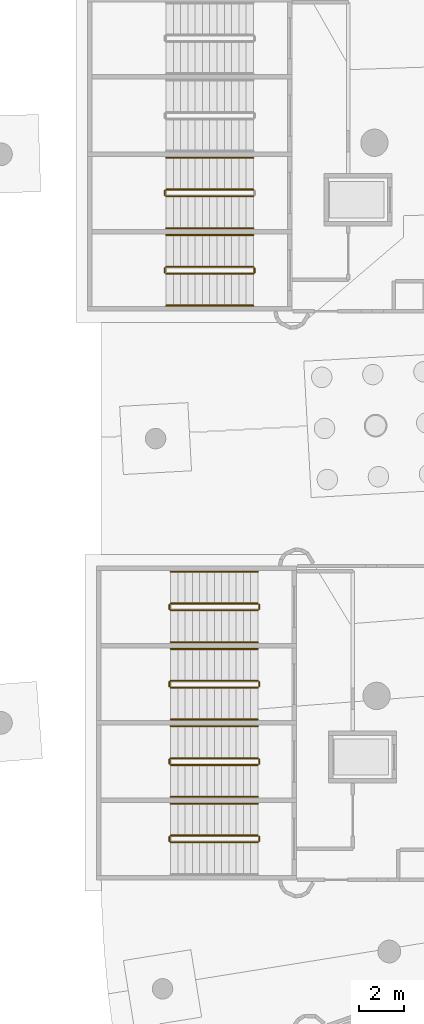
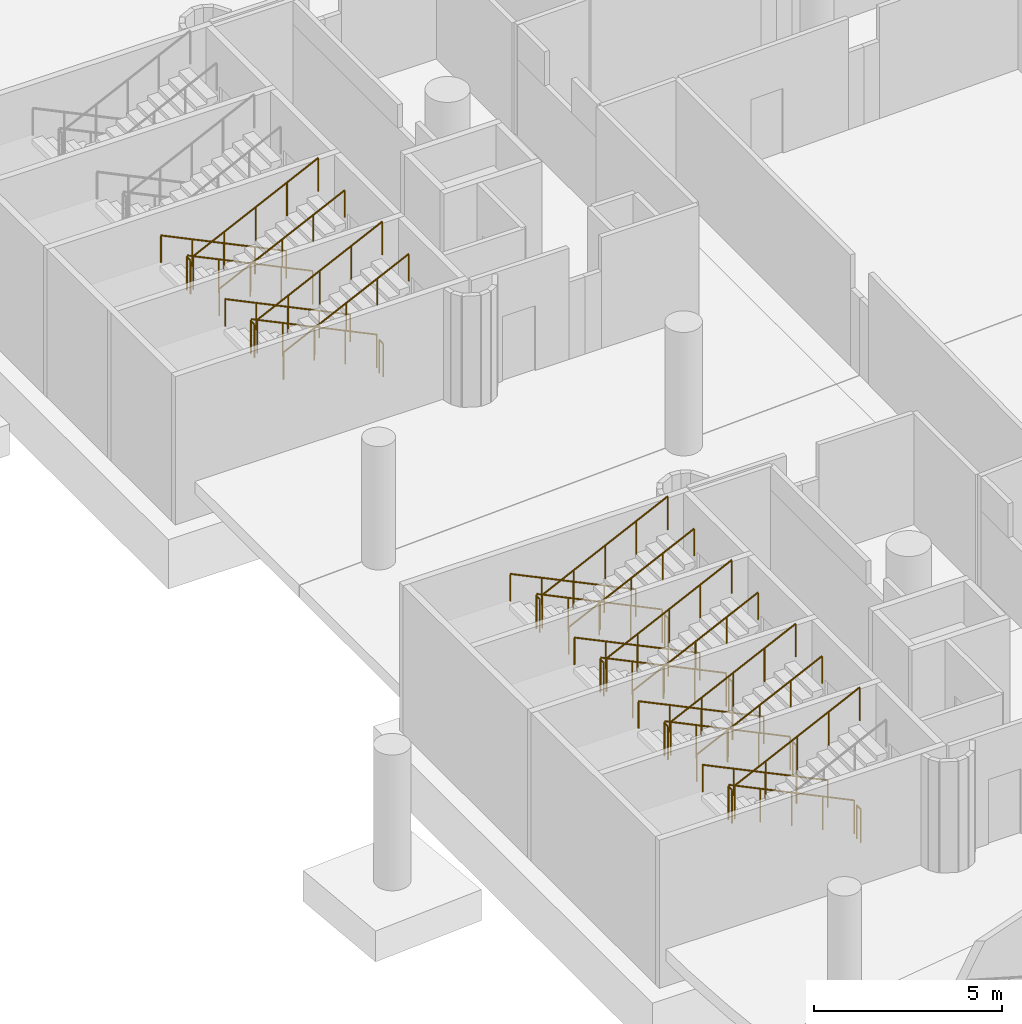
# One storey, part 115 of 142: 34 railings.
"""IFC4 building model written with IfcOpenShell, lengths in metres."""

import ifcopenshell
import ifcopenshell.guid

model = None  # the IFC model being written
_history = None  # IfcOwnerHistory: only IFC2X3 demands one
_inside = {}  # id of a spatial element -> (the spatial element, [elements in it])
_under = {}  # id of a project, library or spatial element -> (it, [spatial elements below it])
_declared = {}  # id of a project -> (the project, [libraries it declares])
_typed = {}  # id of a type object -> (the type object, [elements of that type])
_made_of = {}  # id of a material, layer set ... -> (it, [elements and type objects made of it])


def new_model(schema):
    """Start an empty IFC model of exactly this schema.

    Asked for "IFC4X3", IfcOpenShell would pick the latest addendum, in which some entities
    have other attributes; the version numbers below select the first issue.
    IFC2X3 requires an IfcOwnerHistory on every rooted entity: one is made here for all.
    """
    global model, _history
    if schema == "IFC4X3":
        model = ifcopenshell.file(schema_version=(4, 3, 0, 0))
    else:
        model = ifcopenshell.file(schema=schema)
    _inside.clear()
    _under.clear()
    _declared.clear()
    _typed.clear()
    _made_of.clear()
    _history = None
    if model.schema == "IFC2X3":
        org = make("IfcOrganization", Name="unknown")
        user = make(
            "IfcPersonAndOrganization",
            ThePerson=make("IfcPerson", FamilyName="unknown"),
            TheOrganization=org,
        )
        app = make(
            "IfcApplication",
            ApplicationDeveloper=org,
            Version="unknown",
            ApplicationFullName="unknown",
            ApplicationIdentifier="unknown",
        )
        _history = make(
            "IfcOwnerHistory",
            OwningUser=user,
            OwningApplication=app,
            ChangeAction="ADDED",
            CreationDate=0,
        )
    return model


def make(cls, **values):
    """One entity of the class cls with the attributes given. An attribute that is None is left unset."""
    return model.create_entity(
        cls, **{name: value for name, value in values.items() if value is not None}
    )


def rooted(cls, **values):
    """An entity with a GlobalId (a new one), such as an element, a storey or a relation."""
    return make(cls, GlobalId=ifcopenshell.guid.new(), OwnerHistory=_history, **values)


def si_unit(unit_type, name, prefix=None):
    """IfcSIUnit, for example si_unit("LENGTHUNIT", "METRE", prefix="MILLI")."""
    return make("IfcSIUnit", UnitType=unit_type, Prefix=prefix, Name=name)


def assignment(units):
    """IfcUnitAssignment: the units of a project."""
    return None if units is None else make("IfcUnitAssignment", Units=units)


def point(xyz):
    """IfcCartesianPoint."""
    return None if xyz is None else make("IfcCartesianPoint", Coordinates=xyz)


def direction(xyz):
    """IfcDirection."""
    return None if xyz is None else make("IfcDirection", DirectionRatios=xyz)


def frame(location, z_axis=None, x_axis=None):
    """IfcAxis2Placement3D, a coordinate frame: its origin and axes. An axis left out is left unset."""
    return make(
        "IfcAxis2Placement3D",
        Location=point(location),
        Axis=direction(z_axis),
        RefDirection=direction(x_axis),
    )


def frame_2d(location, x_axis=None):
    """IfcAxis2Placement2D, a coordinate frame in the plane: its origin and x axis."""
    return make(
        "IfcAxis2Placement2D", Location=point(location), RefDirection=direction(x_axis)
    )


def origin():
    """The frame at (0, 0, 0) with its axes left unset."""
    return frame((0.0, 0.0, 0.0))


def origin_2d():
    """The frame at (0, 0) in the plane with its x axis left unset."""
    return frame_2d((0.0, 0.0))


def place(relative_to, where):
    """IfcLocalPlacement: puts the frame where relative to a parent placement (None: the world)."""
    return make(
        "IfcLocalPlacement", PlacementRelTo=relative_to, RelativePlacement=where
    )


def context(
    kind, dimensions, precision=None, world=None, true_north=None, identifier=None
):
    """IfcGeometricRepresentationContext, for example the 3D "Model" context."""
    return make(
        "IfcGeometricRepresentationContext",
        ContextIdentifier=identifier,
        ContextType=kind,
        CoordinateSpaceDimension=dimensions,
        Precision=precision,
        WorldCoordinateSystem=world,
        TrueNorth=true_north,
    )


def subcontext(parent, identifier, kind, view, scale=None):
    """IfcGeometricRepresentationSubContext, for example "Body" below "Model"."""
    return make(
        "IfcGeometricRepresentationSubContext",
        ContextIdentifier=identifier,
        ContextType=kind,
        ParentContext=parent,
        TargetScale=scale,
        TargetView=view,
    )


def project(units=None, contexts=None):
    """IfcProject with its units and contexts."""
    return rooted(
        "IfcProject",
        Name="project",
        RepresentationContexts=contexts,
        UnitsInContext=assignment(units),
    )


def spatial(cls, under=None, at=None, **own):
    """A site, building, storey or space (cls), placed at a placement, below another one or the project."""
    s = rooted(cls, ObjectPlacement=at, **own)
    if under is not None:
        _under.setdefault(under.id(), (under, []))[1].append(s)
    return s


def profile(cls, at=None, kind="AREA", **sizes):
    """A parametric profile (cls). Its sizes go by their IFC names, for example OverallWidth=200.0."""
    return make(cls, ProfileType=kind, Position=at, **sizes)


def circle(**sizes):
    """IfcCircleProfileDef."""
    return profile("IfcCircleProfileDef", **sizes)


def extrude(swept, where, along, depth):
    """IfcExtrudedAreaSolid: the profile swept, set in the frame where, extruded along a direction by depth."""
    return make(
        "IfcExtrudedAreaSolid",
        SweptArea=swept,
        Position=where,
        ExtrudedDirection=direction(along),
        Depth=depth,
    )


def shape(context_of_items, identifier, shape_type, items):
    """IfcShapeRepresentation: the items that make up one representation, for example the "Body"."""
    return make(
        "IfcShapeRepresentation",
        ContextOfItems=context_of_items,
        RepresentationIdentifier=identifier,
        RepresentationType=shape_type,
        Items=items,
    )


def material(Name=None, Category=None):
    """IfcMaterial."""
    return make("IfcMaterial", Name=Name, Category=Category)


def made_of(thing, what):
    """Note that an element or type object is made of a material, layer set ...; save() writes the relation."""
    if what is not None:
        _made_of.setdefault(what.id(), (what, []))[1].append(thing)
    return thing


def type_object(cls, material=None, **own):
    """A type object (cls), such as IfcWallType, which elements share."""
    return made_of(rooted(cls, **own), material)


def element(
    cls,
    number,
    at=None,
    inside=None,
    cuts=None,
    type_object=None,
    material=None,
    context=None,
    identifier="Body",
    shape_type=None,
    held_by="IfcProductDefinitionShape",
    body=None,
    shapes=None,
    **own,
):
    """One element of the class cls, such as IfcWall. Its Tag is "e" and its number.

    at: its placement. inside: the storey or other place that contains it. cuts: it is an
    opening in that element (IfcRelVoidsElement). A single representation is given by context,
    identifier, shape_type and body (its items); several are given by shapes. held_by: the class
    of the entity that holds the representations. save() writes the other relations.
    """
    e = rooted(cls, Tag="e%d" % number, ObjectPlacement=at, **own)
    if body is not None:
        shapes = [shape(context, identifier, shape_type, body)]
    if shapes is not None:
        e.Representation = make(held_by, Representations=shapes)
    if inside is not None:
        _inside.setdefault(inside.id(), (inside, []))[1].append(e)
    if cuts is not None:
        rooted(
            "IfcRelVoidsElement", RelatingBuildingElement=cuts, RelatedOpeningElement=e
        )
    if type_object is not None:
        _typed.setdefault(type_object.id(), (type_object, []))[1].append(e)
    return made_of(e, material)


def aggregate(whole, parts):
    """IfcRelAggregates: a whole, such as a stair, and the parts it consists of."""
    return rooted("IfcRelAggregates", RelatingObject=whole, RelatedObjects=parts)


def save(model, path):
    """Write the relations noted so far, then the file.

    IfcRelAggregates (storeys below a building ...), IfcRelContainedInSpatialStructure (elements
    in a storey), IfcRelDefinesByType, IfcRelAssociatesMaterial and IfcRelDeclares: one each for
    every whole, place, type object, material and project.
    """
    for whole, parts in _under.values():
        aggregate(whole, parts)
    for where, things in _inside.values():
        rooted(
            "IfcRelContainedInSpatialStructure",
            RelatedElements=things,
            RelatingStructure=where,
        )
    for kind, things in _typed.values():
        rooted("IfcRelDefinesByType", RelatedObjects=things, RelatingType=kind)
    for what, things in _made_of.values():
        rooted("IfcRelAssociatesMaterial", RelatedObjects=things, RelatingMaterial=what)
    for by, libraries in _declared.values():
        rooted("IfcRelDeclares", RelatingContext=by, RelatedDefinitions=libraries)
    model.write(path)


model = new_model("IFC4")

# Units and contexts
model_context = context("Model", 3, precision=1e-05, world=origin(), true_north=direction((0.0, 1.0)))
body_context = subcontext(model_context, "Body", "Model", "MODEL_VIEW")
ifc_project = project(units=[si_unit("LENGTHUNIT", "METRE"), si_unit("AREAUNIT", "SQUARE_METRE"), si_unit("VOLUMEUNIT", "CUBIC_METRE"), si_unit("PLANEANGLEUNIT", "RADIAN"), si_unit("MASSUNIT", "GRAM", prefix="KILO")], contexts=[model_context])

# Site, building, storey
site_placement = place(None, origin())
site = spatial("IfcSite", under=ifc_project, at=site_placement, CompositionType="ELEMENT")
building_placement = place(site_placement, origin())
building = spatial("IfcBuilding", under=site, at=building_placement, Name="Meseta Stadium", CompositionType="ELEMENT")
storey_placement = place(building_placement, frame((0.0, 0.0, -4.0)))
storey = spatial("IfcBuildingStorey", under=building, at=storey_placement, Name="B1", CompositionType="ELEMENT", Elevation=-4.0)

# Railings
ifc_material_1 = material(Name="Steel S355", Category="steel")
railing_type_1 = type_object("IfcRailingType", Name="Stair guard 1100", PredefinedType="GUARDRAIL", material=ifc_material_1)
railing_1_placement = place(storey_placement, frame((-90.300048828125, -20.300048828125, 0.15380859375)))
element("IfcRailing", 1, at=railing_1_placement, inside=storey, type_object=railing_type_1, Name="ST71 B1 guard 1", PredefinedType="GUARDRAIL", context=body_context, shape_type="SweptSolid", body=[
    extrude(circle(Radius=0.02392578125, at=origin_2d()), frame((0.0, 0.0, 1.076171875), z_axis=(-0.901242096526, 0.0, 0.43331591645), x_axis=(0.0, -1.0, 0.0)), (0.0, 0.0, 1.0), 4.260498046875),
    extrude(circle(Radius=0.02099609375, at=origin_2d()), origin(), (0.0, 0.0, 1.0), 1.052001953125),
    extrude(circle(Radius=0.02099609375, at=origin_2d()), frame((-0.9599609375, 0.0, 0.46142578125)), (0.0, 0.0, 1.0), 1.052001953125),
    extrude(circle(Radius=0.02099609375, at=origin_2d()), frame((-1.919921875, 0.0, 0.923095703125)), (0.0, 0.0, 1.0), 1.052001953125),
    extrude(circle(Radius=0.02099609375, at=origin_2d()), frame((-2.8798828125, 0.0, 1.384765625)), (0.0, 0.0, 1.0), 1.052001953125),
    extrude(circle(Radius=0.02099609375, at=origin_2d()), frame((-3.83984375, 0.0, 1.84619140625)), (0.0, 0.0, 1.0), 1.052001953125),
])
railing_2_placement = place(storey_placement, frame((-94.18994140625, -20.35009765625, 2.0)))
element("IfcRailing", 2, at=railing_2_placement, inside=storey, type_object=railing_type_1, Name="ST71 B1 guard 2", PredefinedType="GUARDRAIL", context=body_context, shape_type="SweptSolid", body=[
    extrude(circle(Radius=0.02392578125, at=origin_2d()), frame((0.0, 0.0, 1.076171875), z_axis=(0.0, -1.0, 0.0), x_axis=(1.0, 0.0, 0.0)), (0.0, 0.0, 1.0), 0.199951171875),
    extrude(circle(Radius=0.02099609375, at=origin_2d()), origin(), (0.0, 0.0, 1.0), 1.052001953125),
    extrude(circle(Radius=0.02099609375, at=origin_2d()), frame((0.0, -0.199951171875, 0.0)), (0.0, 0.0, 1.0), 1.052001953125),
])
railing_3_placement = place(storey_placement, frame((-94.139892578125, -20.60009765625, 2.15380859375)))
element("IfcRailing", 3, at=railing_3_placement, inside=storey, type_object=railing_type_1, Name="ST71 B1 guard 3", PredefinedType="GUARDRAIL", context=body_context, shape_type="SweptSolid", body=[
    extrude(circle(Radius=0.02392578125, at=origin_2d()), frame((0.0, 0.0, 1.076171875), z_axis=(0.901242096526, 0.0, 0.43331591645), x_axis=(0.0, 1.0, 0.0)), (0.0, 0.0, 1.0), 4.260498046875),
    extrude(circle(Radius=0.02099609375, at=origin_2d()), origin(), (0.0, 0.0, 1.0), 1.052001953125),
    extrude(circle(Radius=0.02099609375, at=origin_2d()), frame((0.9599609375, 0.0, 0.46142578125)), (0.0, 0.0, 1.0), 1.052001953125),
    extrude(circle(Radius=0.02099609375, at=origin_2d()), frame((1.919921875, 0.0, 0.923095703125)), (0.0, 0.0, 1.0), 1.052001953125),
    extrude(circle(Radius=0.02099609375, at=origin_2d()), frame((2.8798828125, 0.0, 1.384765625)), (0.0, 0.0, 1.0), 1.052001953125),
    extrude(circle(Radius=0.02099609375, at=origin_2d()), frame((3.83984375, 0.0, 1.84619140625)), (0.0, 0.0, 1.0), 1.052001953125),
])
railing_4_placement = place(storey_placement, frame((-90.300048828125, -23.699951171875, 0.15380859375)))
element("IfcRailing", 4, at=railing_4_placement, inside=storey, type_object=railing_type_1, Name="ST72 B1 guard 1", PredefinedType="GUARDRAIL", context=body_context, shape_type="SweptSolid", body=[
    extrude(circle(Radius=0.02392578125, at=origin_2d()), frame((0.0, 0.0, 1.076171875), z_axis=(-0.901242096526, 0.0, 0.43331591645), x_axis=(0.0, -1.0, 0.0)), (0.0, 0.0, 1.0), 4.260498046875),
    extrude(circle(Radius=0.02099609375, at=origin_2d()), origin(), (0.0, 0.0, 1.0), 1.052001953125),
    extrude(circle(Radius=0.02099609375, at=origin_2d()), frame((-0.9599609375, 0.0, 0.46142578125)), (0.0, 0.0, 1.0), 1.052001953125),
    extrude(circle(Radius=0.02099609375, at=origin_2d()), frame((-1.919921875, 0.0, 0.923095703125)), (0.0, 0.0, 1.0), 1.052001953125),
    extrude(circle(Radius=0.02099609375, at=origin_2d()), frame((-2.8798828125, 0.0, 1.384765625)), (0.0, 0.0, 1.0), 1.052001953125),
    extrude(circle(Radius=0.02099609375, at=origin_2d()), frame((-3.83984375, 0.0, 1.84619140625)), (0.0, 0.0, 1.0), 1.052001953125),
])
railing_5_placement = place(storey_placement, frame((-94.18994140625, -23.75, 2.0)))
element("IfcRailing", 5, at=railing_5_placement, inside=storey, type_object=railing_type_1, Name="ST72 B1 guard 2", PredefinedType="GUARDRAIL", context=body_context, shape_type="SweptSolid", body=[
    extrude(circle(Radius=0.02392578125, at=origin_2d()), frame((0.0, 0.0, 1.076171875), z_axis=(0.0, -1.0, 0.0), x_axis=(1.0, 0.0, 0.0)), (0.0, 0.0, 1.0), 0.199951171875),
    extrude(circle(Radius=0.02099609375, at=origin_2d()), origin(), (0.0, 0.0, 1.0), 1.052001953125),
    extrude(circle(Radius=0.02099609375, at=origin_2d()), frame((0.0, -0.199951171875, 0.0)), (0.0, 0.0, 1.0), 1.052001953125),
])
railing_6_placement = place(storey_placement, frame((-94.139892578125, -24.0, 2.15380859375)))
element("IfcRailing", 6, at=railing_6_placement, inside=storey, type_object=railing_type_1, Name="ST72 B1 guard 3", PredefinedType="GUARDRAIL", context=body_context, shape_type="SweptSolid", body=[
    extrude(circle(Radius=0.02392578125, at=origin_2d()), frame((0.0, 0.0, 1.076171875), z_axis=(0.901242096526, 0.0, 0.43331591645), x_axis=(0.0, 1.0, 0.0)), (0.0, 0.0, 1.0), 4.260498046875),
    extrude(circle(Radius=0.02099609375, at=origin_2d()), origin(), (0.0, 0.0, 1.0), 1.052001953125),
    extrude(circle(Radius=0.02099609375, at=origin_2d()), frame((0.9599609375, 0.0, 0.46142578125)), (0.0, 0.0, 1.0), 1.052001953125),
    extrude(circle(Radius=0.02099609375, at=origin_2d()), frame((1.919921875, 0.0, 0.923095703125)), (0.0, 0.0, 1.0), 1.052001953125),
    extrude(circle(Radius=0.02099609375, at=origin_2d()), frame((2.8798828125, 0.0, 1.384765625)), (0.0, 0.0, 1.0), 1.052001953125),
    extrude(circle(Radius=0.02099609375, at=origin_2d()), frame((3.83984375, 0.0, 1.84619140625)), (0.0, 0.0, 1.0), 1.052001953125),
])
railing_7_placement = place(storey_placement, frame((-90.25, -23.75, 0.0)))
element("IfcRailing", 7, at=railing_7_placement, inside=storey, type_object=railing_type_1, Name="ST72 B1 guard 4", PredefinedType="GUARDRAIL", context=body_context, shape_type="SweptSolid", body=[
    extrude(circle(Radius=0.02392578125, at=origin_2d()), frame((0.0, 0.0, 1.076171875), z_axis=(0.0, -1.0, 0.0), x_axis=(1.0, 0.0, 0.0)), (0.0, 0.0, 1.0), 0.199951171875),
    extrude(circle(Radius=0.02099609375, at=origin_2d()), origin(), (0.0, 0.0, 1.0), 1.052001953125),
    extrude(circle(Radius=0.02099609375, at=origin_2d()), frame((0.0, -0.199951171875, 0.0)), (0.0, 0.0, 1.0), 1.052001953125),
])
railing_8_placement = place(storey_placement, frame((-90.10009765625, -38.5, 0.15380859375)))
element("IfcRailing", 8, at=railing_8_placement, inside=storey, type_object=railing_type_1, Name="ST73 B1 guard 1", PredefinedType="GUARDRAIL", context=body_context, shape_type="SweptSolid", body=[
    extrude(circle(Radius=0.02392578125, at=origin_2d()), frame((0.0, 0.0, 1.076171875), z_axis=(-0.901242096526, 0.0, 0.43331591645), x_axis=(0.0, -1.0, 0.0)), (0.0, 0.0, 1.0), 4.260498046875),
    extrude(circle(Radius=0.02099609375, at=origin_2d()), origin(), (0.0, 0.0, 1.0), 1.052001953125),
    extrude(circle(Radius=0.02099609375, at=origin_2d()), frame((-0.9599609375, 0.0, 0.46142578125)), (0.0, 0.0, 1.0), 1.052001953125),
    extrude(circle(Radius=0.02099609375, at=origin_2d()), frame((-1.919921875, 0.0, 0.923095703125)), (0.0, 0.0, 1.0), 1.052001953125),
    extrude(circle(Radius=0.02099609375, at=origin_2d()), frame((-2.8798828125, 0.0, 1.384765625)), (0.0, 0.0, 1.0), 1.052001953125),
    extrude(circle(Radius=0.02099609375, at=origin_2d()), frame((-3.83984375, 0.0, 1.84619140625)), (0.0, 0.0, 1.0), 1.052001953125),
])
railing_9_placement = place(storey_placement, frame((-93.989990234375, -38.550048828125, 2.0)))
element("IfcRailing", 9, at=railing_9_placement, inside=storey, type_object=railing_type_1, Name="ST73 B1 guard 2", PredefinedType="GUARDRAIL", context=body_context, shape_type="SweptSolid", body=[
    extrude(circle(Radius=0.02392578125, at=origin_2d()), frame((0.0, 0.0, 1.076171875), z_axis=(0.0, -1.0, 0.0), x_axis=(1.0, 0.0, 0.0)), (0.0, 0.0, 1.0), 0.199951171875),
    extrude(circle(Radius=0.02099609375, at=origin_2d()), origin(), (0.0, 0.0, 1.0), 1.052001953125),
    extrude(circle(Radius=0.02099609375, at=origin_2d()), frame((0.0, -0.199951171875, 0.0)), (0.0, 0.0, 1.0), 1.052001953125),
])
railing_10_placement = place(storey_placement, frame((-93.93994140625, -38.800048828125, 2.15380859375)))
element("IfcRailing", 10, at=railing_10_placement, inside=storey, type_object=railing_type_1, Name="ST73 B1 guard 3", PredefinedType="GUARDRAIL", context=body_context, shape_type="SweptSolid", body=[
    extrude(circle(Radius=0.02392578125, at=origin_2d()), frame((0.0, 0.0, 1.076171875), z_axis=(0.901242096526, 0.0, 0.43331591645), x_axis=(0.0, 1.0, 0.0)), (0.0, 0.0, 1.0), 4.260498046875),
    extrude(circle(Radius=0.02099609375, at=origin_2d()), origin(), (0.0, 0.0, 1.0), 1.052001953125),
    extrude(circle(Radius=0.02099609375, at=origin_2d()), frame((0.9599609375, 0.0, 0.46142578125)), (0.0, 0.0, 1.0), 1.052001953125),
    extrude(circle(Radius=0.02099609375, at=origin_2d()), frame((1.919921875, 0.0, 0.923095703125)), (0.0, 0.0, 1.0), 1.052001953125),
    extrude(circle(Radius=0.02099609375, at=origin_2d()), frame((2.8798828125, 0.0, 1.384765625)), (0.0, 0.0, 1.0), 1.052001953125),
    extrude(circle(Radius=0.02099609375, at=origin_2d()), frame((3.83984375, 0.0, 1.84619140625)), (0.0, 0.0, 1.0), 1.052001953125),
])
railing_11_placement = place(storey_placement, frame((-90.050048828125, -38.550048828125, 0.0)))
element("IfcRailing", 11, at=railing_11_placement, inside=storey, type_object=railing_type_1, Name="ST73 B1 guard 4", PredefinedType="GUARDRAIL", context=body_context, shape_type="SweptSolid", body=[
    extrude(circle(Radius=0.02392578125, at=origin_2d()), frame((0.0, 0.0, 1.076171875), z_axis=(0.0, -1.0, 0.0), x_axis=(1.0, 0.0, 0.0)), (0.0, 0.0, 1.0), 0.199951171875),
    extrude(circle(Radius=0.02099609375, at=origin_2d()), origin(), (0.0, 0.0, 1.0), 1.052001953125),
    extrude(circle(Radius=0.02099609375, at=origin_2d()), frame((0.0, -0.199951171875, 0.0)), (0.0, 0.0, 1.0), 1.052001953125),
])
railing_12_placement = place(storey_placement, frame((-90.10009765625, -41.89990234375, 0.15380859375)))
element("IfcRailing", 12, at=railing_12_placement, inside=storey, type_object=railing_type_1, Name="ST74 B1 guard 1", PredefinedType="GUARDRAIL", context=body_context, shape_type="SweptSolid", body=[
    extrude(circle(Radius=0.02392578125, at=origin_2d()), frame((0.0, 0.0, 1.076171875), z_axis=(-0.901242096526, 0.0, 0.43331591645), x_axis=(0.0, -1.0, 0.0)), (0.0, 0.0, 1.0), 4.260498046875),
    extrude(circle(Radius=0.02099609375, at=origin_2d()), origin(), (0.0, 0.0, 1.0), 1.052001953125),
    extrude(circle(Radius=0.02099609375, at=origin_2d()), frame((-0.9599609375, 0.0, 0.46142578125)), (0.0, 0.0, 1.0), 1.052001953125),
    extrude(circle(Radius=0.02099609375, at=origin_2d()), frame((-1.919921875, 0.0, 0.923095703125)), (0.0, 0.0, 1.0), 1.052001953125),
    extrude(circle(Radius=0.02099609375, at=origin_2d()), frame((-2.8798828125, 0.0, 1.384765625)), (0.0, 0.0, 1.0), 1.052001953125),
    extrude(circle(Radius=0.02099609375, at=origin_2d()), frame((-3.83984375, 0.0, 1.84619140625)), (0.0, 0.0, 1.0), 1.052001953125),
])
railing_13_placement = place(storey_placement, frame((-93.989990234375, -41.949951171875, 2.0)))
element("IfcRailing", 13, at=railing_13_placement, inside=storey, type_object=railing_type_1, Name="ST74 B1 guard 2", PredefinedType="GUARDRAIL", context=body_context, shape_type="SweptSolid", body=[
    extrude(circle(Radius=0.02392578125, at=origin_2d()), frame((0.0, 0.0, 1.076171875), z_axis=(0.0, -1.0, 0.0), x_axis=(1.0, 0.0, 0.0)), (0.0, 0.0, 1.0), 0.199951171875),
    extrude(circle(Radius=0.02099609375, at=origin_2d()), origin(), (0.0, 0.0, 1.0), 1.052001953125),
    extrude(circle(Radius=0.02099609375, at=origin_2d()), frame((0.0, -0.199951171875, 0.0)), (0.0, 0.0, 1.0), 1.052001953125),
])
railing_14_placement = place(storey_placement, frame((-93.93994140625, -42.199951171875, 2.15380859375)))
element("IfcRailing", 14, at=railing_14_placement, inside=storey, type_object=railing_type_1, Name="ST74 B1 guard 3", PredefinedType="GUARDRAIL", context=body_context, shape_type="SweptSolid", body=[
    extrude(circle(Radius=0.02392578125, at=origin_2d()), frame((0.0, 0.0, 1.076171875), z_axis=(0.901242096526, 0.0, 0.43331591645), x_axis=(0.0, 1.0, 0.0)), (0.0, 0.0, 1.0), 4.260498046875),
    extrude(circle(Radius=0.02099609375, at=origin_2d()), origin(), (0.0, 0.0, 1.0), 1.052001953125),
    extrude(circle(Radius=0.02099609375, at=origin_2d()), frame((0.9599609375, 0.0, 0.46142578125)), (0.0, 0.0, 1.0), 1.052001953125),
    extrude(circle(Radius=0.02099609375, at=origin_2d()), frame((1.919921875, 0.0, 0.923095703125)), (0.0, 0.0, 1.0), 1.052001953125),
    extrude(circle(Radius=0.02099609375, at=origin_2d()), frame((2.8798828125, 0.0, 1.384765625)), (0.0, 0.0, 1.0), 1.052001953125),
    extrude(circle(Radius=0.02099609375, at=origin_2d()), frame((3.83984375, 0.0, 1.84619140625)), (0.0, 0.0, 1.0), 1.052001953125),
])
railing_15_placement = place(storey_placement, frame((-90.050048828125, -41.949951171875, 0.0)))
element("IfcRailing", 15, at=railing_15_placement, inside=storey, type_object=railing_type_1, Name="ST74 B1 guard 4", PredefinedType="GUARDRAIL", context=body_context, shape_type="SweptSolid", body=[
    extrude(circle(Radius=0.02392578125, at=origin_2d()), frame((0.0, 0.0, 1.076171875), z_axis=(0.0, -1.0, 0.0), x_axis=(1.0, 0.0, 0.0)), (0.0, 0.0, 1.0), 0.199951171875),
    extrude(circle(Radius=0.02099609375, at=origin_2d()), origin(), (0.0, 0.0, 1.0), 1.052001953125),
    extrude(circle(Radius=0.02099609375, at=origin_2d()), frame((0.0, -0.199951171875, 0.0)), (0.0, 0.0, 1.0), 1.052001953125),
])
railing_16_placement = place(storey_placement, frame((-90.10009765625, -45.300048828125, 0.15380859375)))
element("IfcRailing", 16, at=railing_16_placement, inside=storey, type_object=railing_type_1, Name="ST75 B1 guard 1", PredefinedType="GUARDRAIL", context=body_context, shape_type="SweptSolid", body=[
    extrude(circle(Radius=0.02392578125, at=origin_2d()), frame((0.0, 0.0, 1.076171875), z_axis=(-0.901242096526, 0.0, 0.43331591645), x_axis=(0.0, -1.0, 0.0)), (0.0, 0.0, 1.0), 4.260498046875),
    extrude(circle(Radius=0.02099609375, at=origin_2d()), origin(), (0.0, 0.0, 1.0), 1.052001953125),
    extrude(circle(Radius=0.02099609375, at=origin_2d()), frame((-0.9599609375, 0.0, 0.46142578125)), (0.0, 0.0, 1.0), 1.052001953125),
    extrude(circle(Radius=0.02099609375, at=origin_2d()), frame((-1.919921875, 0.0, 0.923095703125)), (0.0, 0.0, 1.0), 1.052001953125),
    extrude(circle(Radius=0.02099609375, at=origin_2d()), frame((-2.8798828125, 0.0, 1.384765625)), (0.0, 0.0, 1.0), 1.052001953125),
    extrude(circle(Radius=0.02099609375, at=origin_2d()), frame((-3.83984375, 0.0, 1.84619140625)), (0.0, 0.0, 1.0), 1.052001953125),
])
railing_17_placement = place(storey_placement, frame((-93.989990234375, -45.35009765625, 2.0)))
element("IfcRailing", 17, at=railing_17_placement, inside=storey, type_object=railing_type_1, Name="ST75 B1 guard 2", PredefinedType="GUARDRAIL", context=body_context, shape_type="SweptSolid", body=[
    extrude(circle(Radius=0.02392578125, at=origin_2d()), frame((0.0, 0.0, 1.076171875), z_axis=(0.0, -1.0, 0.0), x_axis=(1.0, 0.0, 0.0)), (0.0, 0.0, 1.0), 0.199951171875),
    extrude(circle(Radius=0.02099609375, at=origin_2d()), origin(), (0.0, 0.0, 1.0), 1.052001953125),
    extrude(circle(Radius=0.02099609375, at=origin_2d()), frame((0.0, -0.199951171875, 0.0)), (0.0, 0.0, 1.0), 1.052001953125),
])
railing_18_placement = place(storey_placement, frame((-93.93994140625, -45.60009765625, 2.15380859375)))
element("IfcRailing", 18, at=railing_18_placement, inside=storey, type_object=railing_type_1, Name="ST75 B1 guard 3", PredefinedType="GUARDRAIL", context=body_context, shape_type="SweptSolid", body=[
    extrude(circle(Radius=0.02392578125, at=origin_2d()), frame((0.0, 0.0, 1.076171875), z_axis=(0.901242096526, 0.0, 0.43331591645), x_axis=(0.0, 1.0, 0.0)), (0.0, 0.0, 1.0), 4.260498046875),
    extrude(circle(Radius=0.02099609375, at=origin_2d()), origin(), (0.0, 0.0, 1.0), 1.052001953125),
    extrude(circle(Radius=0.02099609375, at=origin_2d()), frame((0.9599609375, 0.0, 0.46142578125)), (0.0, 0.0, 1.0), 1.052001953125),
    extrude(circle(Radius=0.02099609375, at=origin_2d()), frame((1.919921875, 0.0, 0.923095703125)), (0.0, 0.0, 1.0), 1.052001953125),
    extrude(circle(Radius=0.02099609375, at=origin_2d()), frame((2.8798828125, 0.0, 1.384765625)), (0.0, 0.0, 1.0), 1.052001953125),
    extrude(circle(Radius=0.02099609375, at=origin_2d()), frame((3.83984375, 0.0, 1.84619140625)), (0.0, 0.0, 1.0), 1.052001953125),
])
railing_19_placement = place(storey_placement, frame((-90.050048828125, -45.35009765625, 0.0)))
element("IfcRailing", 19, at=railing_19_placement, inside=storey, type_object=railing_type_1, Name="ST75 B1 guard 4", PredefinedType="GUARDRAIL", context=body_context, shape_type="SweptSolid", body=[
    extrude(circle(Radius=0.02392578125, at=origin_2d()), frame((0.0, 0.0, 1.076171875), z_axis=(0.0, -1.0, 0.0), x_axis=(1.0, 0.0, 0.0)), (0.0, 0.0, 1.0), 0.199951171875),
    extrude(circle(Radius=0.02099609375, at=origin_2d()), origin(), (0.0, 0.0, 1.0), 1.052001953125),
    extrude(circle(Radius=0.02099609375, at=origin_2d()), frame((0.0, -0.199951171875, 0.0)), (0.0, 0.0, 1.0), 1.052001953125),
])
railing_20_placement = place(storey_placement, frame((-90.10009765625, -48.699951171875, 0.15380859375)))
element("IfcRailing", 20, at=railing_20_placement, inside=storey, type_object=railing_type_1, Name="ST76 B1 guard 1", PredefinedType="GUARDRAIL", context=body_context, shape_type="SweptSolid", body=[
    extrude(circle(Radius=0.02392578125, at=origin_2d()), frame((0.0, 0.0, 1.076171875), z_axis=(-0.901242096526, 0.0, 0.43331591645), x_axis=(0.0, -1.0, 0.0)), (0.0, 0.0, 1.0), 4.260498046875),
    extrude(circle(Radius=0.02099609375, at=origin_2d()), origin(), (0.0, 0.0, 1.0), 1.052001953125),
    extrude(circle(Radius=0.02099609375, at=origin_2d()), frame((-0.9599609375, 0.0, 0.46142578125)), (0.0, 0.0, 1.0), 1.052001953125),
    extrude(circle(Radius=0.02099609375, at=origin_2d()), frame((-1.919921875, 0.0, 0.923095703125)), (0.0, 0.0, 1.0), 1.052001953125),
    extrude(circle(Radius=0.02099609375, at=origin_2d()), frame((-2.8798828125, 0.0, 1.384765625)), (0.0, 0.0, 1.0), 1.052001953125),
    extrude(circle(Radius=0.02099609375, at=origin_2d()), frame((-3.83984375, 0.0, 1.84619140625)), (0.0, 0.0, 1.0), 1.052001953125),
])
railing_21_placement = place(storey_placement, frame((-93.989990234375, -48.75, 2.0)))
element("IfcRailing", 21, at=railing_21_placement, inside=storey, type_object=railing_type_1, Name="ST76 B1 guard 2", PredefinedType="GUARDRAIL", context=body_context, shape_type="SweptSolid", body=[
    extrude(circle(Radius=0.02392578125, at=origin_2d()), frame((0.0, 0.0, 1.076171875), z_axis=(0.0, -1.0, 0.0), x_axis=(1.0, 0.0, 0.0)), (0.0, 0.0, 1.0), 0.199951171875),
    extrude(circle(Radius=0.02099609375, at=origin_2d()), origin(), (0.0, 0.0, 1.0), 1.052001953125),
    extrude(circle(Radius=0.02099609375, at=origin_2d()), frame((0.0, -0.199951171875, 0.0)), (0.0, 0.0, 1.0), 1.052001953125),
])
railing_22_placement = place(storey_placement, frame((-93.93994140625, -49.0, 2.15380859375)))
element("IfcRailing", 22, at=railing_22_placement, inside=storey, type_object=railing_type_1, Name="ST76 B1 guard 3", PredefinedType="GUARDRAIL", context=body_context, shape_type="SweptSolid", body=[
    extrude(circle(Radius=0.02392578125, at=origin_2d()), frame((0.0, 0.0, 1.076171875), z_axis=(0.901242096526, 0.0, 0.43331591645), x_axis=(0.0, 1.0, 0.0)), (0.0, 0.0, 1.0), 4.260498046875),
    extrude(circle(Radius=0.02099609375, at=origin_2d()), origin(), (0.0, 0.0, 1.0), 1.052001953125),
    extrude(circle(Radius=0.02099609375, at=origin_2d()), frame((0.9599609375, 0.0, 0.46142578125)), (0.0, 0.0, 1.0), 1.052001953125),
    extrude(circle(Radius=0.02099609375, at=origin_2d()), frame((1.919921875, 0.0, 0.923095703125)), (0.0, 0.0, 1.0), 1.052001953125),
    extrude(circle(Radius=0.02099609375, at=origin_2d()), frame((2.8798828125, 0.0, 1.384765625)), (0.0, 0.0, 1.0), 1.052001953125),
    extrude(circle(Radius=0.02099609375, at=origin_2d()), frame((3.83984375, 0.0, 1.84619140625)), (0.0, 0.0, 1.0), 1.052001953125),
])
railing_23_placement = place(storey_placement, frame((-90.050048828125, -48.75, 0.0)))
element("IfcRailing", 23, at=railing_23_placement, inside=storey, type_object=railing_type_1, Name="ST76 B1 guard 4", PredefinedType="GUARDRAIL", context=body_context, shape_type="SweptSolid", body=[
    extrude(circle(Radius=0.02392578125, at=origin_2d()), frame((0.0, 0.0, 1.076171875), z_axis=(0.0, -1.0, 0.0), x_axis=(1.0, 0.0, 0.0)), (0.0, 0.0, 1.0), 0.199951171875),
    extrude(circle(Radius=0.02099609375, at=origin_2d()), origin(), (0.0, 0.0, 1.0), 1.052001953125),
    extrude(circle(Radius=0.02099609375, at=origin_2d()), frame((0.0, -0.199951171875, 0.0)), (0.0, 0.0, 1.0), 1.052001953125),
])
ifc_material_2 = material(Name="Steel S355", Category="steel")
railing_type_2 = type_object("IfcRailingType", Name="Stair handrail 900", PredefinedType="HANDRAIL", material=ifc_material_2)
railing_24_placement = place(storey_placement, frame((-90.300048828125, -18.89990234375, 0.15380859375)))
element("IfcRailing", 24, at=railing_24_placement, inside=storey, type_object=railing_type_2, Name="ST71 B1 handrail 1", PredefinedType="HANDRAIL", context=body_context, shape_type="SweptSolid", body=[
    extrude(circle(Radius=0.02392578125, at=origin_2d()), frame((0.0, 0.0, 0.8759765625), z_axis=(-0.901242096526, 0.0, 0.43331591645), x_axis=(0.0, -1.0, 0.0)), (0.0, 0.0, 1.0), 4.260498046875),
    extrude(circle(Radius=0.02099609375, at=origin_2d()), origin(), (0.0, 0.0, 1.0), 0.851806640625),
    extrude(circle(Radius=0.02099609375, at=origin_2d()), frame((-0.9599609375, 0.0, 0.46142578125)), (0.0, 0.0, 1.0), 0.851806640625),
    extrude(circle(Radius=0.02099609375, at=origin_2d()), frame((-1.919921875, 0.0, 0.923095703125)), (0.0, 0.0, 1.0), 0.851806640625),
    extrude(circle(Radius=0.02099609375, at=origin_2d()), frame((-2.8798828125, 0.0, 1.384765625)), (0.0, 0.0, 1.0), 0.851806640625),
    extrude(circle(Radius=0.02099609375, at=origin_2d()), frame((-3.83984375, 0.0, 1.84619140625)), (0.0, 0.0, 1.0), 0.851806640625),
])
railing_25_placement = place(storey_placement, frame((-94.139892578125, -22.0, 2.15380859375)))
element("IfcRailing", 25, at=railing_25_placement, inside=storey, type_object=railing_type_2, Name="ST71 B1 handrail 2", PredefinedType="HANDRAIL", context=body_context, shape_type="SweptSolid", body=[
    extrude(circle(Radius=0.02392578125, at=origin_2d()), frame((0.0, 0.0, 0.8759765625), z_axis=(0.901242096526, 0.0, 0.43331591645), x_axis=(0.0, 1.0, 0.0)), (0.0, 0.0, 1.0), 4.260498046875),
    extrude(circle(Radius=0.02099609375, at=origin_2d()), origin(), (0.0, 0.0, 1.0), 0.851806640625),
    extrude(circle(Radius=0.02099609375, at=origin_2d()), frame((0.9599609375, 0.0, 0.46142578125)), (0.0, 0.0, 1.0), 0.851806640625),
    extrude(circle(Radius=0.02099609375, at=origin_2d()), frame((1.919921875, 0.0, 0.923095703125)), (0.0, 0.0, 1.0), 0.851806640625),
    extrude(circle(Radius=0.02099609375, at=origin_2d()), frame((2.8798828125, 0.0, 1.384765625)), (0.0, 0.0, 1.0), 0.851806640625),
    extrude(circle(Radius=0.02099609375, at=origin_2d()), frame((3.83984375, 0.0, 1.84619140625)), (0.0, 0.0, 1.0), 0.851806640625),
])
railing_26_placement = place(storey_placement, frame((-90.300048828125, -22.300048828125, 0.15380859375)))
element("IfcRailing", 26, at=railing_26_placement, inside=storey, type_object=railing_type_2, Name="ST72 B1 handrail 1", PredefinedType="HANDRAIL", context=body_context, shape_type="SweptSolid", body=[
    extrude(circle(Radius=0.02392578125, at=origin_2d()), frame((0.0, 0.0, 0.8759765625), z_axis=(-0.901242096526, 0.0, 0.43331591645), x_axis=(0.0, -1.0, 0.0)), (0.0, 0.0, 1.0), 4.260498046875),
    extrude(circle(Radius=0.02099609375, at=origin_2d()), origin(), (0.0, 0.0, 1.0), 0.851806640625),
    extrude(circle(Radius=0.02099609375, at=origin_2d()), frame((-0.9599609375, 0.0, 0.46142578125)), (0.0, 0.0, 1.0), 0.851806640625),
    extrude(circle(Radius=0.02099609375, at=origin_2d()), frame((-1.919921875, 0.0, 0.923095703125)), (0.0, 0.0, 1.0), 0.851806640625),
    extrude(circle(Radius=0.02099609375, at=origin_2d()), frame((-2.8798828125, 0.0, 1.384765625)), (0.0, 0.0, 1.0), 0.851806640625),
    extrude(circle(Radius=0.02099609375, at=origin_2d()), frame((-3.83984375, 0.0, 1.84619140625)), (0.0, 0.0, 1.0), 0.851806640625),
])
railing_27_placement = place(storey_placement, frame((-94.139892578125, -25.39990234375, 2.15380859375)))
element("IfcRailing", 27, at=railing_27_placement, inside=storey, type_object=railing_type_2, Name="ST72 B1 handrail 2", PredefinedType="HANDRAIL", context=body_context, shape_type="SweptSolid", body=[
    extrude(circle(Radius=0.02392578125, at=origin_2d()), frame((0.0, 0.0, 0.8759765625), z_axis=(0.901242096526, 0.0, 0.43331591645), x_axis=(0.0, 1.0, 0.0)), (0.0, 0.0, 1.0), 4.260498046875),
    extrude(circle(Radius=0.02099609375, at=origin_2d()), origin(), (0.0, 0.0, 1.0), 0.851806640625),
    extrude(circle(Radius=0.02099609375, at=origin_2d()), frame((0.9599609375, 0.0, 0.46142578125)), (0.0, 0.0, 1.0), 0.851806640625),
    extrude(circle(Radius=0.02099609375, at=origin_2d()), frame((1.919921875, 0.0, 0.923095703125)), (0.0, 0.0, 1.0), 0.851806640625),
    extrude(circle(Radius=0.02099609375, at=origin_2d()), frame((2.8798828125, 0.0, 1.384765625)), (0.0, 0.0, 1.0), 0.851806640625),
    extrude(circle(Radius=0.02099609375, at=origin_2d()), frame((3.83984375, 0.0, 1.84619140625)), (0.0, 0.0, 1.0), 0.851806640625),
])
railing_28_placement = place(storey_placement, frame((-90.10009765625, -37.10009765625, 0.15380859375)))
element("IfcRailing", 28, at=railing_28_placement, inside=storey, type_object=railing_type_2, Name="ST73 B1 handrail 1", PredefinedType="HANDRAIL", context=body_context, shape_type="SweptSolid", body=[
    extrude(circle(Radius=0.02392578125, at=origin_2d()), frame((0.0, 0.0, 0.8759765625), z_axis=(-0.901242096526, 0.0, 0.43331591645), x_axis=(0.0, -1.0, 0.0)), (0.0, 0.0, 1.0), 4.260498046875),
    extrude(circle(Radius=0.02099609375, at=origin_2d()), origin(), (0.0, 0.0, 1.0), 0.851806640625),
    extrude(circle(Radius=0.02099609375, at=origin_2d()), frame((-0.9599609375, 0.0, 0.46142578125)), (0.0, 0.0, 1.0), 0.851806640625),
    extrude(circle(Radius=0.02099609375, at=origin_2d()), frame((-1.919921875, 0.0, 0.923095703125)), (0.0, 0.0, 1.0), 0.851806640625),
    extrude(circle(Radius=0.02099609375, at=origin_2d()), frame((-2.8798828125, 0.0, 1.384765625)), (0.0, 0.0, 1.0), 0.851806640625),
    extrude(circle(Radius=0.02099609375, at=origin_2d()), frame((-3.83984375, 0.0, 1.84619140625)), (0.0, 0.0, 1.0), 0.851806640625),
])
railing_29_placement = place(storey_placement, frame((-93.93994140625, -40.199951171875, 2.15380859375)))
element("IfcRailing", 29, at=railing_29_placement, inside=storey, type_object=railing_type_2, Name="ST73 B1 handrail 2", PredefinedType="HANDRAIL", context=body_context, shape_type="SweptSolid", body=[
    extrude(circle(Radius=0.02392578125, at=origin_2d()), frame((0.0, 0.0, 0.8759765625), z_axis=(0.901242096526, 0.0, 0.43331591645), x_axis=(0.0, 1.0, 0.0)), (0.0, 0.0, 1.0), 4.260498046875),
    extrude(circle(Radius=0.02099609375, at=origin_2d()), origin(), (0.0, 0.0, 1.0), 0.851806640625),
    extrude(circle(Radius=0.02099609375, at=origin_2d()), frame((0.9599609375, 0.0, 0.46142578125)), (0.0, 0.0, 1.0), 0.851806640625),
    extrude(circle(Radius=0.02099609375, at=origin_2d()), frame((1.919921875, 0.0, 0.923095703125)), (0.0, 0.0, 1.0), 0.851806640625),
    extrude(circle(Radius=0.02099609375, at=origin_2d()), frame((2.8798828125, 0.0, 1.384765625)), (0.0, 0.0, 1.0), 0.851806640625),
    extrude(circle(Radius=0.02099609375, at=origin_2d()), frame((3.83984375, 0.0, 1.84619140625)), (0.0, 0.0, 1.0), 0.851806640625),
])
railing_30_placement = place(storey_placement, frame((-90.10009765625, -40.5, 0.15380859375)))
element("IfcRailing", 30, at=railing_30_placement, inside=storey, type_object=railing_type_2, Name="ST74 B1 handrail 1", PredefinedType="HANDRAIL", context=body_context, shape_type="SweptSolid", body=[
    extrude(circle(Radius=0.02392578125, at=origin_2d()), frame((0.0, 0.0, 0.8759765625), z_axis=(-0.901242096526, 0.0, 0.43331591645), x_axis=(0.0, -1.0, 0.0)), (0.0, 0.0, 1.0), 4.260498046875),
    extrude(circle(Radius=0.02099609375, at=origin_2d()), origin(), (0.0, 0.0, 1.0), 0.851806640625),
    extrude(circle(Radius=0.02099609375, at=origin_2d()), frame((-0.9599609375, 0.0, 0.46142578125)), (0.0, 0.0, 1.0), 0.851806640625),
    extrude(circle(Radius=0.02099609375, at=origin_2d()), frame((-1.919921875, 0.0, 0.923095703125)), (0.0, 0.0, 1.0), 0.851806640625),
    extrude(circle(Radius=0.02099609375, at=origin_2d()), frame((-2.8798828125, 0.0, 1.384765625)), (0.0, 0.0, 1.0), 0.851806640625),
    extrude(circle(Radius=0.02099609375, at=origin_2d()), frame((-3.83984375, 0.0, 1.84619140625)), (0.0, 0.0, 1.0), 0.851806640625),
])
railing_31_placement = place(storey_placement, frame((-93.93994140625, -43.60009765625, 2.15380859375)))
element("IfcRailing", 31, at=railing_31_placement, inside=storey, type_object=railing_type_2, Name="ST74 B1 handrail 2", PredefinedType="HANDRAIL", context=body_context, shape_type="SweptSolid", body=[
    extrude(circle(Radius=0.02392578125, at=origin_2d()), frame((0.0, 0.0, 0.8759765625), z_axis=(0.901242096526, 0.0, 0.43331591645), x_axis=(0.0, 1.0, 0.0)), (0.0, 0.0, 1.0), 4.260498046875),
    extrude(circle(Radius=0.02099609375, at=origin_2d()), origin(), (0.0, 0.0, 1.0), 0.851806640625),
    extrude(circle(Radius=0.02099609375, at=origin_2d()), frame((0.9599609375, 0.0, 0.46142578125)), (0.0, 0.0, 1.0), 0.851806640625),
    extrude(circle(Radius=0.02099609375, at=origin_2d()), frame((1.919921875, 0.0, 0.923095703125)), (0.0, 0.0, 1.0), 0.851806640625),
    extrude(circle(Radius=0.02099609375, at=origin_2d()), frame((2.8798828125, 0.0, 1.384765625)), (0.0, 0.0, 1.0), 0.851806640625),
    extrude(circle(Radius=0.02099609375, at=origin_2d()), frame((3.83984375, 0.0, 1.84619140625)), (0.0, 0.0, 1.0), 0.851806640625),
])
railing_32_placement = place(storey_placement, frame((-90.10009765625, -43.89990234375, 0.15380859375)))
element("IfcRailing", 32, at=railing_32_placement, inside=storey, type_object=railing_type_2, Name="ST75 B1 handrail 1", PredefinedType="HANDRAIL", context=body_context, shape_type="SweptSolid", body=[
    extrude(circle(Radius=0.02392578125, at=origin_2d()), frame((0.0, 0.0, 0.8759765625), z_axis=(-0.901242096526, 0.0, 0.43331591645), x_axis=(0.0, -1.0, 0.0)), (0.0, 0.0, 1.0), 4.260498046875),
    extrude(circle(Radius=0.02099609375, at=origin_2d()), origin(), (0.0, 0.0, 1.0), 0.851806640625),
    extrude(circle(Radius=0.02099609375, at=origin_2d()), frame((-0.9599609375, 0.0, 0.46142578125)), (0.0, 0.0, 1.0), 0.851806640625),
    extrude(circle(Radius=0.02099609375, at=origin_2d()), frame((-1.919921875, 0.0, 0.923095703125)), (0.0, 0.0, 1.0), 0.851806640625),
    extrude(circle(Radius=0.02099609375, at=origin_2d()), frame((-2.8798828125, 0.0, 1.384765625)), (0.0, 0.0, 1.0), 0.851806640625),
    extrude(circle(Radius=0.02099609375, at=origin_2d()), frame((-3.83984375, 0.0, 1.84619140625)), (0.0, 0.0, 1.0), 0.851806640625),
])
railing_33_placement = place(storey_placement, frame((-93.93994140625, -47.0, 2.15380859375)))
element("IfcRailing", 33, at=railing_33_placement, inside=storey, type_object=railing_type_2, Name="ST75 B1 handrail 2", PredefinedType="HANDRAIL", context=body_context, shape_type="SweptSolid", body=[
    extrude(circle(Radius=0.02392578125, at=origin_2d()), frame((0.0, 0.0, 0.8759765625), z_axis=(0.901242096526, 0.0, 0.43331591645), x_axis=(0.0, 1.0, 0.0)), (0.0, 0.0, 1.0), 4.260498046875),
    extrude(circle(Radius=0.02099609375, at=origin_2d()), origin(), (0.0, 0.0, 1.0), 0.851806640625),
    extrude(circle(Radius=0.02099609375, at=origin_2d()), frame((0.9599609375, 0.0, 0.46142578125)), (0.0, 0.0, 1.0), 0.851806640625),
    extrude(circle(Radius=0.02099609375, at=origin_2d()), frame((1.919921875, 0.0, 0.923095703125)), (0.0, 0.0, 1.0), 0.851806640625),
    extrude(circle(Radius=0.02099609375, at=origin_2d()), frame((2.8798828125, 0.0, 1.384765625)), (0.0, 0.0, 1.0), 0.851806640625),
    extrude(circle(Radius=0.02099609375, at=origin_2d()), frame((3.83984375, 0.0, 1.84619140625)), (0.0, 0.0, 1.0), 0.851806640625),
])
railing_34_placement = place(storey_placement, frame((-90.10009765625, -47.300048828125, 0.15380859375)))
element("IfcRailing", 34, at=railing_34_placement, inside=storey, type_object=railing_type_2, Name="ST76 B1 handrail 1", PredefinedType="HANDRAIL", context=body_context, shape_type="SweptSolid", body=[
    extrude(circle(Radius=0.02392578125, at=origin_2d()), frame((0.0, 0.0, 0.8759765625), z_axis=(-0.901242096526, 0.0, 0.43331591645), x_axis=(0.0, -1.0, 0.0)), (0.0, 0.0, 1.0), 4.260498046875),
    extrude(circle(Radius=0.02099609375, at=origin_2d()), origin(), (0.0, 0.0, 1.0), 0.851806640625),
    extrude(circle(Radius=0.02099609375, at=origin_2d()), frame((-0.9599609375, 0.0, 0.46142578125)), (0.0, 0.0, 1.0), 0.851806640625),
    extrude(circle(Radius=0.02099609375, at=origin_2d()), frame((-1.919921875, 0.0, 0.923095703125)), (0.0, 0.0, 1.0), 0.851806640625),
    extrude(circle(Radius=0.02099609375, at=origin_2d()), frame((-2.8798828125, 0.0, 1.384765625)), (0.0, 0.0, 1.0), 0.851806640625),
    extrude(circle(Radius=0.02099609375, at=origin_2d()), frame((-3.83984375, 0.0, 1.84619140625)), (0.0, 0.0, 1.0), 0.851806640625),
])

save(model, "model.ifc")
